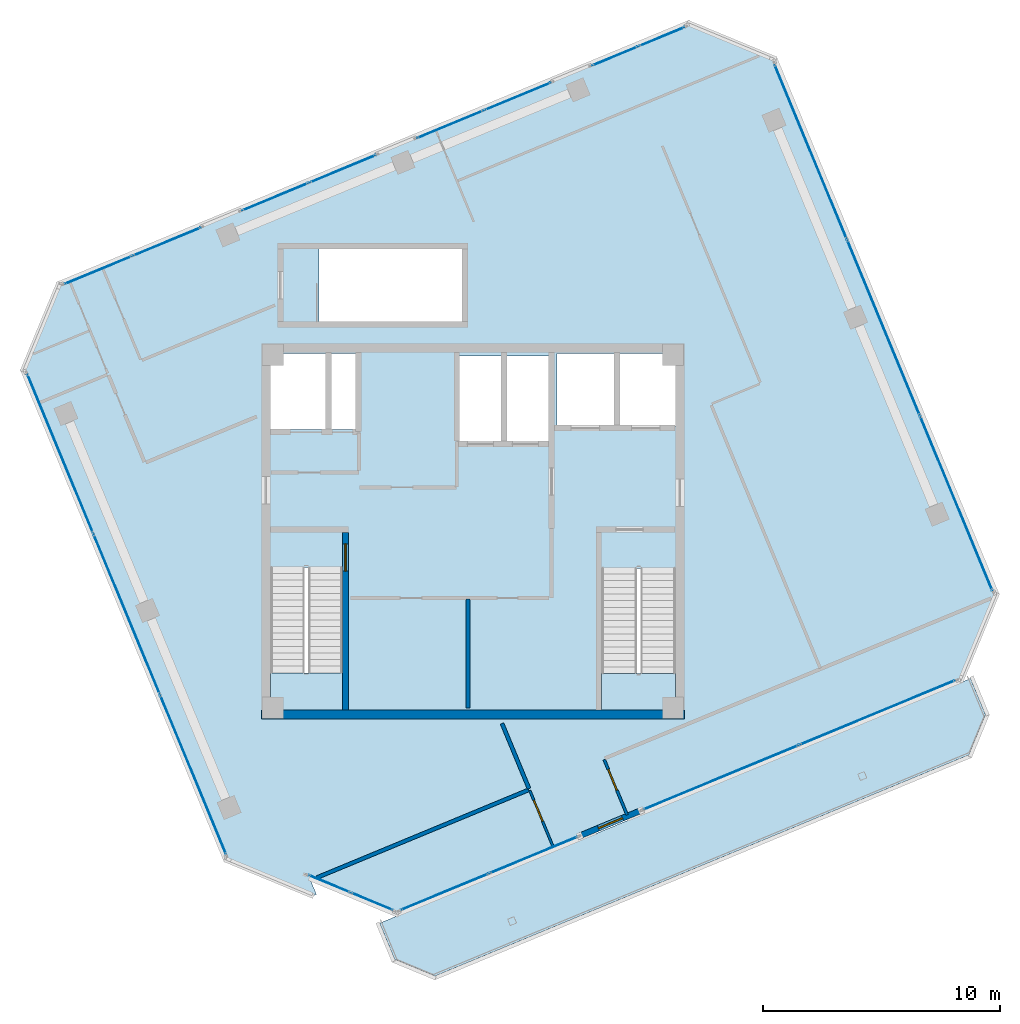
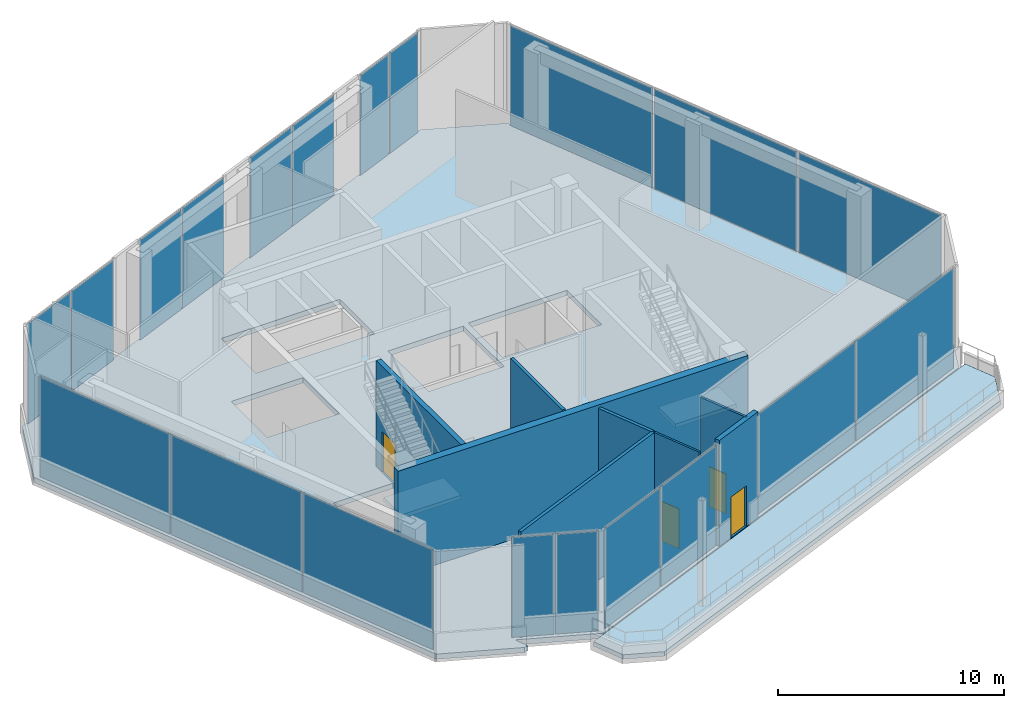
# One storey, part 10 of 16: 20 plates, 8 walls, 4 doors, 4 slabs, 4 openings, 11 elements without a shape of their own.
"""IFC4 building model written with IfcOpenShell, lengths in metres."""

from ifc_helpers import new_model, si_unit, direction, frame, frame_2d, origin, origin_2d, place, context, subcontext, project, spatial, polyline, rectangle, outline, extrude, source, transform, mapped, material, layer, layer_set, type_object, element, fill, aggregate, save


model = new_model("IFC4")

# Units and contexts
model_context = context("Model", 3, precision=1e-05, world=origin(), true_north=direction((0.0, 1.0)))
body_context = subcontext(model_context, "Body", "Model", "MODEL_VIEW")
ifc_project = project(units=[si_unit("LENGTHUNIT", "METRE"), si_unit("AREAUNIT", "SQUARE_METRE"), si_unit("VOLUMEUNIT", "CUBIC_METRE"), si_unit("PLANEANGLEUNIT", "RADIAN"), si_unit("MASSUNIT", "GRAM", prefix="KILO")], contexts=[model_context])

# Site, building, storey
site_placement = place(None, origin())
site = spatial("IfcSite", under=ifc_project, at=site_placement, CompositionType="ELEMENT")
building_placement = place(site_placement, origin())
building = spatial("IfcBuilding", under=site, at=building_placement, Name="Torre Montelarca", CompositionType="ELEMENT")
storey_placement = place(building_placement, frame((0.0, 0.0, 360.0)))
storey = spatial("IfcBuildingStorey", under=building, at=storey_placement, Name="L81", CompositionType="ELEMENT", Elevation=360.0)

# Slab
ifc_material_1 = material(Name="Concrete C40/50", Category="concrete")
ifc_layer_1 = layer(ifc_material_1, 0.280029296875, Name="Concrete C40/50", Category="concrete")
ifc_layer_set_1 = layer_set([ifc_layer_1], Name="Concrete C40/50")
slab_type_1 = type_object("IfcSlabType", Name="SL-FLR-280", PredefinedType="FLOOR", material=ifc_layer_set_1)
slab_1_placement = place(storey_placement, frame((0.0, 0.0, -0.280029296875)))
element("IfcSlab", 1, at=slab_1_placement, inside=storey, type_object=slab_type_1, Name="L81 Structural Floor Slab", PredefinedType="FLOOR", context=body_context, shape_type="SweptSolid", body=[
    extrude(outline(polyline([(7.555419921875, 18.106201171875), (11.2138671875, 16.5908203125), (11.398681640625, 16.667236328125), (11.130859375, 17.31396484375), (14.789306640625, 15.798583984375), (38.625244140625, 25.671875), (40.140625, 29.330078125), (30.764892578125, 51.96533203125), (27.1064453125, 53.480712890625), (0.498779296875, 42.459228515625), (-1.0166015625, 38.801025390625), (7.555419921875, 18.106201171875)]), holes=[polyline([(26.550048828125, 24.449951171875), (23.43994140625, 24.449951171875), (23.43994140625, 30.429931640625), (26.550048828125, 30.429931640625), (26.550048828125, 24.449951171875)]), polyline([(9.449951171875, 24.449951171875), (9.449951171875, 30.4599609375), (12.5, 30.4599609375), (12.5, 24.449951171875), (9.449951171875, 24.449951171875)]), polyline([(21.25, 35.800048828125), (17.39990234375, 35.800048828125), (17.39990234375, 39.39990234375), (21.25, 39.39990234375), (21.25, 35.800048828125)]), polyline([(13.1201171875, 39.5), (13.1201171875, 36.300048828125), (9.449951171875, 36.300048828125), (9.449951171875, 39.5), (13.1201171875, 39.5)]), polyline([(26.60009765625, 36.449951171875), (21.550048828125, 36.449951171875), (21.550048828125, 39.5), (26.60009765625, 39.5), (26.60009765625, 36.449951171875)]), polyline([(17.550048828125, 40.85009765625), (11.5, 40.85009765625), (11.5, 43.919921875), (17.550048828125, 43.919921875), (17.550048828125, 40.85009765625)])]), origin(), (0.0, 0.0, 1.0), 0.280029296875),
])

# Stair, slab
stair_type_1 = type_object("IfcStairType", Name="ST-CORE-ST1", PredefinedType="HALF_TURN_STAIR", material=ifc_material_1)
stair_1_placement = place(storey_placement, origin())
stair_1 = element("IfcStair", 2, at=stair_1_placement, inside=storey, type_object=stair_type_1, Name="L81 Protected Exit Stair ST1", PredefinedType="HALF_TURN_STAIR")
ifc_layer_2 = layer(ifc_material_1, 0.199951171875, Name="Concrete C40/50", Category="concrete")
ifc_layer_set_2 = layer_set([ifc_layer_2], Name="Concrete C40/50")
slab_type_2 = type_object("IfcSlabType", Name="SL-ST-LAND-ST1", PredefinedType="LANDING", material=ifc_layer_set_2)
slab_2_placement = place(storey_placement, frame((0.0, 0.0, 2.800048828125)))
slab_2 = element("IfcSlab", 3, at=slab_2_placement, type_object=slab_type_2, Name="ST1 landing 1", PredefinedType="LANDING", context=body_context, shape_type="SweptSolid", body=[
    extrude(outline(polyline([(9.449951171875, 26.02001953125), (9.449951171875, 24.449951171875), (12.5, 24.449951171875), (12.5, 26.02001953125), (9.449951171875, 26.02001953125)])), origin(), (0.0, 0.0, 1.0), 0.199951171875),
])
aggregate(stair_1, [slab_2])

stair_type_2 = type_object("IfcStairType", Name="ST-CORE-ST2", PredefinedType="HALF_TURN_STAIR", material=ifc_material_1)
stair_2_placement = place(storey_placement, origin())
stair_2 = element("IfcStair", 4, at=stair_2_placement, inside=storey, type_object=stair_type_2, Name="L81 Protected Exit Stair ST2", PredefinedType="HALF_TURN_STAIR")
ifc_layer_3 = layer(ifc_material_1, 0.199951171875, Name="Concrete C40/50", Category="concrete")
ifc_layer_set_3 = layer_set([ifc_layer_3], Name="Concrete C40/50")
slab_type_3 = type_object("IfcSlabType", Name="SL-ST-LAND-ST2", PredefinedType="LANDING", material=ifc_layer_set_3)
slab_3_placement = place(storey_placement, frame((0.0, 0.0, 2.800048828125)))
slab_3 = element("IfcSlab", 5, at=slab_3_placement, type_object=slab_type_3, Name="ST2 landing 1", PredefinedType="LANDING", context=body_context, shape_type="SweptSolid", body=[
    extrude(outline(polyline([(23.43994140625, 25.989990234375), (23.43994140625, 24.449951171875), (26.550048828125, 24.449951171875), (26.550048828125, 25.989990234375), (23.43994140625, 25.989990234375)])), origin(), (0.0, 0.0, 1.0), 0.199951171875),
])
aggregate(stair_2, [slab_3])

# Slab
ifc_material_2 = material(Name="Architectural concrete C40/50", Category="concrete")
ifc_layer_4 = layer(ifc_material_2, 0.239990234375, Name="Architectural concrete C40/50", Category="concrete")
ifc_layer_set_4 = layer_set([ifc_layer_4], Name="Architectural concrete C40/50")
slab_type_4 = type_object("IfcSlabType", Name="SL-TER-250", PredefinedType="FLOOR", material=ifc_layer_set_4)
slab_4_placement = place(storey_placement, frame((0.0, 0.0, -0.239990234375)))
element("IfcSlab", 6, at=slab_4_placement, inside=storey, type_object=slab_type_4, Name="L81 Outdoor Setback Sky Terrace 01", PredefinedType="FLOOR", context=body_context, shape_type="SweptSolid", body=[
    extrude(outline(polyline([(14.0654296875, 15.45556640625), (14.70068359375, 13.921875), (16.399169921875, 13.21826171875), (38.94189453125, 22.555908203125), (39.6455078125, 24.25439453125), (39.010009765625, 25.7880859375), (14.0654296875, 15.45556640625)])), origin(), (0.0, 0.0, 1.0), 0.239990234375),
])

# Curtain wall, plates
ifc_material_3 = material(Name="Insulated low-E laminated glass", Category="glass")
curtain_wall_type = type_object("IfcCurtainWallType", Name="CW-SYS-Z4", PredefinedType="USERDEFINED", material=ifc_material_3)
curtain_wall_1_placement = place(storey_placement, origin())
curtain_wall_1 = element("IfcCurtainWall", 7, at=curtain_wall_1_placement, inside=storey, type_object=curtain_wall_type, Name="L81 Curtain Wall Run CW-T3-L81-E01-B1", ObjectType="UNITISED GLAZING", PredefinedType="USERDEFINED")
ifc_layer_5 = layer(ifc_material_3, 0.035888671875, Name="Insulated low-E laminated glass", Category="glass")
ifc_layer_set_5 = layer_set([ifc_layer_5], Name="Insulated low-E laminated glass")
plate_type = type_object("IfcPlateType", Name="CWP-GLZ-36", PredefinedType="CURTAIN_PANEL", material=ifc_layer_set_5)
shared_shape_1 = source(origin(), body_context, "Body", "SweptSolid", [
    extrude(rectangle(XDim=7.24365234375, YDim=0.035888671875, at=origin_2d()), origin(), (0.0, 0.0, 1.0), 5.389892578125),
])
plate_1_placement = place(storey_placement, frame((0.581787109375, 35.2822265625, 0.06494140625), z_axis=(0.0, 0.0, 1.0), x_axis=(0.382681429043, -0.923880362312, 0.0)))
plate_1 = element("IfcPlate", 8, at=plate_1_placement, type_object=plate_type, Name="CW panel 1.1", PredefinedType="CURTAIN_PANEL", context=body_context, shape_type="MappedRepresentation", body=[
    mapped(shared_shape_1, transform((0.0, 0.0, 0.0), scale=1.0)),
])
plate_2_placement = place(storey_placement, frame((6.197509765625, 21.724609375, 0.06494140625), z_axis=(0.0, 0.0, 1.0), x_axis=(0.382681429043, -0.923880362312, 0.0)))
plate_2 = element("IfcPlate", 9, at=plate_2_placement, type_object=plate_type, Name="CW panel 3.1", PredefinedType="CURTAIN_PANEL", context=body_context, shape_type="MappedRepresentation", body=[
    mapped(shared_shape_1, transform((0.0, 0.0, 0.0), scale=1.0)),
])
shared_shape_2 = source(origin(), body_context, "Body", "SweptSolid", [
    extrude(rectangle(XDim=7.281005859375, YDim=0.035888671875, at=origin_2d()), origin(), (0.0, 0.0, 1.0), 5.389892578125),
])
plate_3_placement = place(storey_placement, frame((3.3896484375, 28.50341796875, 0.06494140625), z_axis=(0.0, 0.0, 1.0), x_axis=(0.382681429043, -0.923880362312, 0.0)))
plate_3 = element("IfcPlate", 10, at=plate_3_placement, type_object=plate_type, Name="CW panel 2.1", PredefinedType="CURTAIN_PANEL", context=body_context, shape_type="MappedRepresentation", body=[
    mapped(shared_shape_2, transform((0.0, 0.0, 0.0), scale=1.0)),
])
aggregate(curtain_wall_1, [plate_1, plate_3, plate_2])

curtain_wall_2_placement = place(storey_placement, origin())
curtain_wall_2 = element("IfcCurtainWall", 11, at=curtain_wall_2_placement, inside=storey, type_object=curtain_wall_type, Name="L81 Curtain Wall Run CW-T3-L81-E05-B1", ObjectType="UNITISED GLAZING", PredefinedType="USERDEFINED")
shared_shape_3 = source(origin(), body_context, "Body", "SweptSolid", [
    extrude(rectangle(XDim=1.885498046875, YDim=0.035888671875, at=origin_2d()), origin(), (0.0, 0.0, 1.0), 5.389892578125),
])
plate_4_placement = place(storey_placement, frame((11.934326171875, 17.121826171875, 0.06494140625), z_axis=(0.0, 0.0, 1.0), x_axis=(0.923880486956, -0.382681128122, 0.0)))
plate_4 = element("IfcPlate", 12, at=plate_4_placement, type_object=plate_type, Name="CW panel 1.1", PredefinedType="CURTAIN_PANEL", context=body_context, shape_type="MappedRepresentation", body=[
    mapped(shared_shape_3, transform((0.0, 0.0, 0.0), scale=1.0)),
])
plate_5_placement = place(storey_placement, frame((13.745361328125, 16.37158203125, 0.06494140625), z_axis=(0.0, 0.0, 1.0), x_axis=(0.923880486956, -0.382681128122, 0.0)))
plate_5 = element("IfcPlate", 13, at=plate_5_placement, type_object=plate_type, Name="CW panel 2.1", PredefinedType="CURTAIN_PANEL", context=body_context, shape_type="MappedRepresentation", body=[
    mapped(shared_shape_3, transform((0.0, 0.0, 0.0), scale=1.0)),
])
aggregate(curtain_wall_2, [plate_4, plate_5])

curtain_wall_3_placement = place(storey_placement, origin())
curtain_wall_3 = element("IfcCurtainWall", 14, at=curtain_wall_3_placement, inside=storey, type_object=curtain_wall_type, Name="L81 Curtain Wall Run CW-T3-L81-E06-B1", ObjectType="UNITISED GLAZING", PredefinedType="USERDEFINED")
shared_shape_4 = source(origin(), body_context, "Body", "SweptSolid", [
    extrude(rectangle(XDim=3.99755859375, YDim=0.035888671875, at=origin_2d()), origin(), (0.0, 0.0, 1.0), 5.389892578125),
])
plate_6_placement = place(storey_placement, frame((16.80859375, 16.77587890625, 0.06494140625), z_axis=(0.0, 0.0, 1.0), x_axis=(0.923882201639, 0.382676988458, 0.0)))
plate_6 = element("IfcPlate", 15, at=plate_6_placement, type_object=plate_type, Name="CW panel 1.1", PredefinedType="CURTAIN_PANEL", context=body_context, shape_type="MappedRepresentation", body=[
    mapped(shared_shape_4, transform((0.0, 0.0, 0.0), scale=1.0)),
])
plate_7_placement = place(storey_placement, frame((20.571044921875, 18.334228515625, 0.06494140625), z_axis=(0.0, 0.0, 1.0), x_axis=(0.923882201639, 0.382676988458, 0.0)))
plate_7 = element("IfcPlate", 16, at=plate_7_placement, type_object=plate_type, Name="CW panel 2.1", PredefinedType="CURTAIN_PANEL", context=body_context, shape_type="MappedRepresentation", body=[
    mapped(shared_shape_4, transform((0.0, 0.0, 0.0), scale=1.0)),
])
aggregate(curtain_wall_3, [plate_6, plate_7])

curtain_wall_4_placement = place(storey_placement, origin())
curtain_wall_4 = element("IfcCurtainWall", 17, at=curtain_wall_4_placement, inside=storey, type_object=curtain_wall_type, Name="L81 Curtain Wall Run CW-T3-L81-E06-B2", ObjectType="UNITISED GLAZING", PredefinedType="USERDEFINED")
shared_shape_5 = source(origin(), body_context, "Body", "SweptSolid", [
    extrude(rectangle(XDim=7.08154296875, YDim=0.035888671875, at=origin_2d()), origin(), (0.0, 0.0, 1.0), 5.389892578125),
])
plate_8_placement = place(storey_placement, frame((28.469970703125, 21.60595703125, 0.06494140625), z_axis=(0.0, 0.0, 1.0), x_axis=(0.923878079904, 0.382686939251, 0.0)))
plate_8 = element("IfcPlate", 18, at=plate_8_placement, type_object=plate_type, Name="CW panel 1.1", PredefinedType="CURTAIN_PANEL", context=body_context, shape_type="MappedRepresentation", body=[
    mapped(shared_shape_5, transform((0.0, 0.0, 0.0), scale=1.0)),
])
plate_9_placement = place(storey_placement, frame((35.081787109375, 24.3447265625, 0.06494140625), z_axis=(0.0, 0.0, 1.0), x_axis=(0.923878079904, 0.382686939251, 0.0)))
plate_9 = element("IfcPlate", 19, at=plate_9_placement, type_object=plate_type, Name="CW panel 2.1", PredefinedType="CURTAIN_PANEL", context=body_context, shape_type="MappedRepresentation", body=[
    mapped(shared_shape_5, transform((0.0, 0.0, 0.0), scale=1.0)),
])
aggregate(curtain_wall_4, [plate_8, plate_9])

curtain_wall_5_placement = place(storey_placement, origin())
curtain_wall_5 = element("IfcCurtainWall", 20, at=curtain_wall_5_placement, inside=storey, type_object=curtain_wall_type, Name="L81 Curtain Wall Run CW-T3-L81-E08-B1", ObjectType="UNITISED GLAZING", PredefinedType="USERDEFINED")
shared_shape_6 = source(origin(), body_context, "Body", "SweptSolid", [
    extrude(rectangle(XDim=7.943603515625, YDim=0.035888671875, at=origin_2d()), origin(), (0.0, 0.0, 1.0), 5.389892578125),
])
plate_10_placement = place(storey_placement, frame((38.408447265625, 33.17236328125, 0.06494140625), z_axis=(0.0, 0.0, 1.0), x_axis=(-0.382679584596, 0.9238811263, 0.0)))
plate_10 = element("IfcPlate", 21, at=plate_10_placement, type_object=plate_type, Name="CW panel 1.1", PredefinedType="CURTAIN_PANEL", context=body_context, shape_type="MappedRepresentation", body=[
    mapped(shared_shape_6, transform((0.0, 0.0, 0.0), scale=1.0)),
])
plate_11_placement = place(storey_placement, frame((32.2568359375, 48.0234375, 0.06494140625), z_axis=(0.0, 0.0, 1.0), x_axis=(-0.382679584596, 0.9238811263, 0.0)))
plate_11 = element("IfcPlate", 22, at=plate_11_placement, type_object=plate_type, Name="CW panel 3.1", PredefinedType="CURTAIN_PANEL", context=body_context, shape_type="MappedRepresentation", body=[
    mapped(shared_shape_6, transform((0.0, 0.0, 0.0), scale=1.0)),
])
shared_shape_7 = source(origin(), body_context, "Body", "SweptSolid", [
    extrude(rectangle(XDim=7.981201171875, YDim=0.035888671875, at=origin_2d()), origin(), (0.0, 0.0, 1.0), 5.389892578125),
])
plate_12_placement = place(storey_placement, frame((35.332763671875, 40.597900390625, 0.06494140625), z_axis=(0.0, 0.0, 1.0), x_axis=(-0.382679584596, 0.9238811263, 0.0)))
plate_12 = element("IfcPlate", 23, at=plate_12_placement, type_object=plate_type, Name="CW panel 2.1", PredefinedType="CURTAIN_PANEL", context=body_context, shape_type="MappedRepresentation", body=[
    mapped(shared_shape_7, transform((0.0, 0.0, 0.0), scale=1.0)),
])
aggregate(curtain_wall_5, [plate_10, plate_12, plate_11])

curtain_wall_6_placement = place(storey_placement, origin())
curtain_wall_6 = element("IfcCurtainWall", 24, at=curtain_wall_6_placement, inside=storey, type_object=curtain_wall_type, Name="L81 Curtain Wall Run CW-T3-L81-E10-B1", ObjectType="UNITISED GLAZING", PredefinedType="USERDEFINED")
shared_shape_8 = source(origin(), body_context, "Body", "SweptSolid", [
    extrude(rectangle(XDim=2.064453125, YDim=0.035888671875, at=origin_2d()), origin(), (0.0, 0.0, 1.0), 5.389892578125),
])
plate_13_placement = place(storey_placement, frame((25.97998046875, 52.873291015625, 0.06494140625), z_axis=(0.0, 0.0, 1.0), x_axis=(-0.923884152495, -0.382672278548, 0.0)))
plate_13 = element("IfcPlate", 25, at=plate_13_placement, type_object=plate_type, Name="CW panel 1.1", PredefinedType="CURTAIN_PANEL", context=body_context, shape_type="MappedRepresentation", body=[
    mapped(shared_shape_8, transform((0.0, 0.0, 0.0), scale=1.0)),
])
plate_14_placement = place(storey_placement, frame((24.00341796875, 52.054443359375, 0.06494140625), z_axis=(0.0, 0.0, 1.0), x_axis=(-0.923884152495, -0.382672278548, 0.0)))
plate_14 = element("IfcPlate", 26, at=plate_14_placement, type_object=plate_type, Name="CW panel 2.1", PredefinedType="CURTAIN_PANEL", context=body_context, shape_type="MappedRepresentation", body=[
    mapped(shared_shape_8, transform((0.0, 0.0, 0.0), scale=1.0)),
])
aggregate(curtain_wall_6, [plate_13, plate_14])

curtain_wall_7_placement = place(storey_placement, origin())
curtain_wall_7 = element("IfcCurtainWall", 27, at=curtain_wall_7_placement, inside=storey, type_object=curtain_wall_type, Name="L81 Curtain Wall Run CW-T3-L81-E10-B2", ObjectType="UNITISED GLAZING", PredefinedType="USERDEFINED")
shared_shape_9 = source(origin(), body_context, "Body", "SweptSolid", [
    extrude(rectangle(XDim=3.007568359375, YDim=0.035888671875, at=origin_2d()), origin(), (0.0, 0.0, 1.0), 5.389892578125),
])
plate_15_placement = place(storey_placement, frame((19.895751953125, 50.35302734375, 0.06494140625), z_axis=(0.0, 0.0, 1.0), x_axis=(-0.923881866133, -0.382677798455, 0.0)))
plate_15 = element("IfcPlate", 28, at=plate_15_placement, type_object=plate_type, Name="CW panel 1.1", PredefinedType="CURTAIN_PANEL", context=body_context, shape_type="MappedRepresentation", body=[
    mapped(shared_shape_9, transform((0.0, 0.0, 0.0), scale=1.0)),
])
plate_16_placement = place(storey_placement, frame((17.0478515625, 49.17333984375, 0.06494140625), z_axis=(0.0, 0.0, 1.0), x_axis=(-0.923881866133, -0.382677798455, 0.0)))
plate_16 = element("IfcPlate", 29, at=plate_16_placement, type_object=plate_type, Name="CW panel 2.1", PredefinedType="CURTAIN_PANEL", context=body_context, shape_type="MappedRepresentation", body=[
    mapped(shared_shape_9, transform((0.0, 0.0, 0.0), scale=1.0)),
])
aggregate(curtain_wall_7, [plate_15, plate_16])

curtain_wall_8_placement = place(storey_placement, origin())
curtain_wall_8 = element("IfcCurtainWall", 30, at=curtain_wall_8_placement, inside=storey, type_object=curtain_wall_type, Name="L81 Curtain Wall Run CW-T3-L81-E10-B3", ObjectType="UNITISED GLAZING", PredefinedType="USERDEFINED")
plate_17_placement = place(storey_placement, frame((12.504638671875, 47.29150390625, 0.06494140625), z_axis=(0.0, 0.0, 1.0), x_axis=(-0.923878547136, -0.382685811263, 0.0)))
plate_17 = element("IfcPlate", 31, at=plate_17_placement, type_object=plate_type, Name="CW panel 1.1", PredefinedType="CURTAIN_PANEL", context=body_context, shape_type="MappedRepresentation", body=[
    mapped(shared_shape_9, transform((0.0, 0.0, 0.0), scale=1.0)),
])
plate_18_placement = place(storey_placement, frame((9.65673828125, 46.112060546875, 0.06494140625), z_axis=(0.0, 0.0, 1.0), x_axis=(-0.923878547136, -0.382685811263, 0.0)))
plate_18 = element("IfcPlate", 32, at=plate_18_placement, type_object=plate_type, Name="CW panel 2.1", PredefinedType="CURTAIN_PANEL", context=body_context, shape_type="MappedRepresentation", body=[
    mapped(shared_shape_9, transform((0.0, 0.0, 0.0), scale=1.0)),
])
aggregate(curtain_wall_8, [plate_17, plate_18])

curtain_wall_9_placement = place(storey_placement, origin())
curtain_wall_9 = element("IfcCurtainWall", 33, at=curtain_wall_9_placement, inside=storey, type_object=curtain_wall_type, Name="L81 Curtain Wall Run CW-T3-L81-E10-B4", ObjectType="UNITISED GLAZING", PredefinedType="USERDEFINED")
shared_shape_10 = source(origin(), body_context, "Body", "SweptSolid", [
    extrude(rectangle(XDim=3.064453125, YDim=0.035888671875, at=origin_2d()), origin(), (0.0, 0.0, 1.0), 5.389892578125),
])
plate_19_placement = place(storey_placement, frame((5.087158203125, 44.21923828125, 0.06494140625), z_axis=(0.0, 0.0, 1.0), x_axis=(-0.923879493372, -0.382683526856, 0.0)))
plate_19 = element("IfcPlate", 34, at=plate_19_placement, type_object=plate_type, Name="CW panel 1.1", PredefinedType="CURTAIN_PANEL", context=body_context, shape_type="MappedRepresentation", body=[
    mapped(shared_shape_10, transform((0.0, 0.0, 0.0), scale=1.0)),
])
plate_20_placement = place(storey_placement, frame((2.186767578125, 43.017822265625, 0.06494140625), z_axis=(0.0, 0.0, 1.0), x_axis=(-0.923879493372, -0.382683526856, 0.0)))
plate_20 = element("IfcPlate", 35, at=plate_20_placement, type_object=plate_type, Name="CW panel 2.1", PredefinedType="CURTAIN_PANEL", context=body_context, shape_type="MappedRepresentation", body=[
    mapped(shared_shape_10, transform((0.0, 0.0, 0.0), scale=1.0)),
])
aggregate(curtain_wall_9, [plate_19, plate_20])

# Wall, opening, door
ifc_layer_6 = layer(ifc_material_1, 0.25, Name="Concrete C40/50", Category="concrete")
ifc_layer_set_6 = layer_set([ifc_layer_6], Name="Concrete C40/50")
wall_type_1 = type_object("IfcWallType", Name="CW-SHAFT-250", PredefinedType="SHEAR", material=ifc_layer_set_6)
wall_1_placement = place(storey_placement, frame((12.625, 24.4599609375, 0.0), z_axis=(0.0, 0.0, 1.0), x_axis=(0.0, 1.0, 0.0)))
wall_1 = element("IfcWall", 36, at=wall_1_placement, inside=storey, type_object=wall_type_1, Name="L81 Core Shear Wall SH-ST1-E", PredefinedType="SHEAR", context=body_context, shape_type="SweptSolid", body=[
    extrude(rectangle(XDim=7.489990234375, YDim=0.25, at=frame_2d((3.7451171875, 0.0))), origin(), (0.0, 0.0, 1.0), 5.719970703125),
])
opening_1_placement = place(wall_1_placement, frame((5.85009765625, 0.0, 0.0)))
opening_1 = element("IfcOpeningElement", 37, at=opening_1_placement, cuts=wall_1, Name="Opening FD-ST1", PredefinedType="OPENING", context=body_context, shape_type="SweptSolid", body=[
    extrude(rectangle(XDim=1.14990234375, YDim=2.199951171875, at=frame_2d((0.574951171875, 1.10009765625))), frame((0.0, 0.135009765625, 0.0), z_axis=(0.0, -1.0, 0.0), x_axis=(1.0, 0.0, 0.0)), (0.0, 0.0, 1.0), 0.27001953125),
])
ifc_material_4 = material(Name="Galvanized steel fire door", Category="steel")
door_type_1 = type_object("IfcDoorType", Name="DR-STAIR-115", OperationType="NOTDEFINED", PredefinedType="DOOR", material=ifc_material_4)
shared_shape_11 = source(origin(), body_context, "Body", "SweptSolid", [
    extrude(rectangle(XDim=1.14990234375, YDim=2.199951171875, at=frame_2d((0.574951171875, 1.10009765625))), frame((0.0, 0.02490234375, 0.0), z_axis=(0.0, -1.0, 0.0), x_axis=(1.0, 0.0, 0.0)), (0.0, 0.0, 1.0), 0.050048828125),
])
door_1_placement = place(opening_1_placement, origin())
door_1 = element("IfcDoor", 38, at=door_1_placement, inside=storey, type_object=door_type_1, Name="L81 Exit Stair ST1 Fire Door", OperationType="SINGLE_SWING_RIGHT", OverallHeight=2.199951171875, OverallWidth=1.14990234375, PredefinedType="DOOR", context=body_context, shape_type="MappedRepresentation", body=[
    mapped(shared_shape_11, transform((0.0, 0.0, 0.0), scale=1.0)),
])
fill(opening_1, door_1)

# Wall
ifc_layer_7 = layer(ifc_material_1, 0.3798828125, Name="Concrete C40/50", Category="concrete")
ifc_layer_set_7 = layer_set([ifc_layer_7], Name="Concrete C40/50")
wall_type_2 = type_object("IfcWallType", Name="CW-SHEAR-380", PredefinedType="SHEAR", material=ifc_layer_set_7)
wall_2_placement = place(storey_placement, frame((9.070068359375, 24.260009765625, 0.0), z_axis=(0.0, 0.0, 1.0), x_axis=(1.0, 0.0, 0.0)))
element("IfcWall", 39, at=wall_2_placement, inside=storey, type_object=wall_type_2, Name="L81 Core Shear Wall CW-S1", PredefinedType="SHEAR", context=body_context, shape_type="SweptSolid", body=[
    extrude(rectangle(XDim=17.85986328125, YDim=0.3798828125, at=frame_2d((8.929931640625, 0.0))), origin(), (0.0, 0.0, 1.0), 5.719970703125),
])

# Wall, opening, door
ifc_material_5 = material(Name="Precast concrete C45/55", Category="concrete")
ifc_layer_8 = layer(ifc_material_5, 0.25, Name="Precast concrete C45/55", Category="concrete")
ifc_layer_set_8 = layer_set([ifc_layer_8], Name="Precast concrete C45/55")
wall_type_3 = type_object("IfcWallType", Name="EW-CONC-250", PredefinedType="SOLIDWALL", material=ifc_layer_set_8)
wall_3_placement = place(storey_placement, frame((22.5146484375, 19.139404296875, 0.0), z_axis=(0.0, 0.0, 1.0), x_axis=(0.92391057023, 0.382608492088, 0.0)))
wall_3 = element("IfcWall", 40, at=wall_3_placement, inside=storey, type_object=wall_type_3, Name="L81 Terrace Portal Wall Pier E06", PredefinedType="SOLIDWALL", context=body_context, shape_type="SweptSolid", body=[
    extrude(rectangle(XDim=2.800048828125, YDim=0.25, at=frame_2d((1.39990234375, 0.0))), origin(), (0.0, 0.0, 1.0), 5.719970703125),
])
opening_2_placement = place(wall_3_placement, frame((0.85009765625, 0.0, 0.0)))
opening_2 = element("IfcOpeningElement", 41, at=opening_2_placement, cuts=wall_3, Name="Opening ED-03", PredefinedType="OPENING", context=body_context, shape_type="SweptSolid", body=[
    extrude(rectangle(XDim=1.10009765625, YDim=2.199951171875, at=frame_2d((0.550048828125, 1.10009765625))), frame((0.0, 0.135009765625, 0.0), z_axis=(0.0, -1.0, 0.0), x_axis=(1.0, 0.0, 0.0)), (0.0, 0.0, 1.0), 0.27001953125),
])
ifc_material_6 = material(Name="Powder-coated galvanized steel and safety glass", Category="steel")
door_type_2 = type_object("IfcDoorType", Name="DR-EXT-TER", OperationType="NOTDEFINED", PredefinedType="DOOR", material=ifc_material_6)
shared_shape_12 = source(origin(), body_context, "Body", "SweptSolid", [
    extrude(rectangle(XDim=1.10009765625, YDim=2.199951171875, at=frame_2d((0.550048828125, 1.10009765625))), frame((0.0, 0.02490234375, 0.0), z_axis=(0.0, -1.0, 0.0), x_axis=(1.0, 0.0, 0.0)), (0.0, 0.0, 1.0), 0.050048828125),
])
door_2_placement = place(opening_2_placement, origin())
door_2 = element("IfcDoor", 42, at=door_2_placement, inside=storey, type_object=door_type_2, Name="L81 East Observation Deck Lookout Door", OperationType="SINGLE_SWING_RIGHT", OverallHeight=2.199951171875, OverallWidth=1.10009765625, PredefinedType="DOOR", context=body_context, shape_type="MappedRepresentation", body=[
    mapped(shared_shape_12, transform((0.0, 0.0, 0.0), scale=1.0)),
])
fill(opening_2, door_2)

# Walls
ifc_material_7 = material(Name="Gypsum plasterboard on steel stud", Category="steel")
ifc_layer_9 = layer(ifc_material_7, 0.159912109375, Name="Gypsum plasterboard on steel stud", Category="steel")
ifc_layer_set_9 = layer_set([ifc_layer_9], Name="Gypsum plasterboard on steel stud")
wall_type_4 = type_object("IfcWallType", Name="PW-FIRE-160", PredefinedType="PARTITIONING", material=ifc_layer_set_9)
wall_4_placement = place(storey_placement, frame((17.800048828125, 24.5400390625, 0.0), z_axis=(0.0, 0.0, 1.0), x_axis=(0.0, 1.0, 0.0)))
element("IfcWall", 43, at=wall_4_placement, inside=storey, type_object=wall_type_4, Name="L81 Interior Partition CW-L81-FRD1", PredefinedType="PARTITIONING", context=body_context, shape_type="SweptSolid", body=[
    extrude(rectangle(XDim=4.599853515625, YDim=0.159912109375, at=frame_2d((2.2998046875, 0.0))), origin(), (0.0, 0.0, 1.0), 5.719970703125),
])
wall_5_placement = place(storey_placement, frame((19.233642578125, 23.883056640625, 0.0), z_axis=(0.0, 0.0, 1.0), x_axis=(0.382670358191, -0.923884947903, 0.0)))
element("IfcWall", 44, at=wall_5_placement, inside=storey, type_object=wall_type_4, Name="L81 Interior Partition W-L81-SOCCN2", PredefinedType="PARTITIONING", context=body_context, shape_type="SweptSolid", body=[
    extrude(rectangle(XDim=2.97802734375, YDim=0.159912109375, at=frame_2d((1.489013671875, 0.0))), origin(), (0.0, 0.0, 1.0), 5.719970703125),
])
wall_6_placement = place(storey_placement, frame((11.416015625, 17.3779296875, 0.0), z_axis=(0.0, 0.0, 1.0), x_axis=(0.923876235796, 0.382691391243, 0.0)))
element("IfcWall", 45, at=wall_6_placement, inside=storey, type_object=wall_type_4, Name="L81 Interior Partition W-L81-ECS", PredefinedType="PARTITIONING", context=body_context, shape_type="SweptSolid", body=[
    extrude(rectangle(XDim=9.672119140625, YDim=0.159912109375, at=frame_2d((4.8359375, 0.0))), origin(), (0.0, 0.0, 1.0), 5.719970703125),
])

# Wall, opening, door
ifc_material_8 = material(Name="Acoustic laminated glass partition", Category="glass")
ifc_layer_10 = layer(ifc_material_8, 0.10009765625, Name="Acoustic laminated glass partition", Category="glass")
ifc_layer_set_10 = layer_set([ifc_layer_10], Name="Acoustic laminated glass partition")
wall_type_5 = type_object("IfcWallType", Name="PW-GLAZ-100", PredefinedType="PARTITIONING", material=ifc_layer_set_10)
wall_7_placement = place(storey_placement, frame((20.404052734375, 21.0576171875, 0.0), z_axis=(0.0, 0.0, 1.0), x_axis=(0.382709736079, -0.923868636717, 0.0)))
wall_7 = element("IfcWall", 46, at=wall_7_placement, inside=storey, type_object=wall_type_5, Name="L81 Interior Partition W-L81-SE-N", PredefinedType="PARTITIONING", context=body_context, shape_type="SweptSolid", body=[
    extrude(rectangle(XDim=2.530029296875, YDim=0.10009765625, at=frame_2d((1.26513671875, 0.0))), origin(), (0.0, 0.0, 1.0), 5.719970703125),
])
opening_3_placement = place(wall_7_placement, frame((0.449951171875, 0.0, 0.0)))
opening_3 = element("IfcOpeningElement", 47, at=opening_3_placement, cuts=wall_7, Name="Opening ID-095", PredefinedType="OPENING", context=body_context, shape_type="SweptSolid", body=[
    extrude(rectangle(XDim=0.949951171875, YDim=2.14990234375, at=frame_2d((0.47509765625, 1.074951171875))), frame((0.0, 0.06005859375, 0.0), z_axis=(0.0, -1.0, 0.0), x_axis=(1.0, 0.0, 0.0)), (0.0, 0.0, 1.0), 0.1201171875),
])
ifc_material_9 = material(Name="Hardwood acoustic timber veneer", Category="wood")
door_type_3 = type_object("IfcDoorType", Name="DR-INT-095", OperationType="NOTDEFINED", PredefinedType="DOOR", material=ifc_material_9)
shared_shape_13 = source(origin(), body_context, "Body", "SweptSolid", [
    extrude(rectangle(XDim=0.949951171875, YDim=2.14990234375, at=frame_2d((0.47509765625, 1.074951171875))), frame((0.0, 0.02490234375, 0.0), z_axis=(0.0, -1.0, 0.0), x_axis=(1.0, 0.0, 0.0)), (0.0, 0.0, 1.0), 0.050048828125),
])
door_3_placement = place(opening_3_placement, origin())
door_3 = element("IfcDoor", 48, at=door_3_placement, inside=storey, type_object=door_type_3, Name="L81 Interior Door 12", OperationType="SINGLE_SWING_LEFT", OverallHeight=2.14990234375, OverallWidth=0.949951171875, PredefinedType="DOOR", context=body_context, shape_type="MappedRepresentation", body=[
    mapped(shared_shape_13, transform((0.0, 0.0, 0.0), scale=1.0)),
])
fill(opening_3, door_3)

ifc_layer_11 = layer(ifc_material_7, 0.114990234375, Name="Gypsum plasterboard on steel stud", Category="steel")
ifc_layer_set_11 = layer_set([ifc_layer_11], Name="Gypsum plasterboard on steel stud")
wall_type_6 = type_object("IfcWallType", Name="PW-PART-115", PredefinedType="PARTITIONING", material=ifc_layer_set_11)
wall_8_placement = place(storey_placement, frame((23.545166015625, 22.358642578125, 0.0), z_axis=(0.0, 0.0, 1.0), x_axis=(0.382743857879, -0.923854501129, 0.0)))
wall_8 = element("IfcWall", 49, at=wall_8_placement, inside=storey, type_object=wall_type_6, Name="L81 Interior Partition W-L81-NE-S", PredefinedType="PARTITIONING", context=body_context, shape_type="SweptSolid", body=[
    extrude(rectangle(XDim=2.52978515625, YDim=0.114990234375, at=frame_2d((1.264892578125, 0.0))), origin(), (0.0, 0.0, 1.0), 5.719970703125),
])
opening_4_placement = place(wall_8_placement, frame((0.449951171875, 0.0, 0.0)))
opening_4 = element("IfcOpeningElement", 50, at=opening_4_placement, cuts=wall_8, Name="Opening ID-095", PredefinedType="OPENING", context=body_context, shape_type="SweptSolid", body=[
    extrude(rectangle(XDim=0.949951171875, YDim=2.14990234375, at=frame_2d((0.47509765625, 1.074951171875))), frame((0.0, 0.0673828125, 0.0), z_axis=(0.0, -1.0, 0.0), x_axis=(1.0, 0.0, 0.0)), (0.0, 0.0, 1.0), 0.135009765625),
])
door_4_placement = place(opening_4_placement, origin())
door_4 = element("IfcDoor", 51, at=door_4_placement, inside=storey, type_object=door_type_3, Name="L81 Interior Door 11", OperationType="SINGLE_SWING_LEFT", OverallHeight=2.14990234375, OverallWidth=0.949951171875, PredefinedType="DOOR", context=body_context, shape_type="MappedRepresentation", body=[
    mapped(shared_shape_13, transform((0.0, 0.0, 0.0), scale=1.0)),
])
fill(opening_4, door_4)

save(model, "model.ifc")
